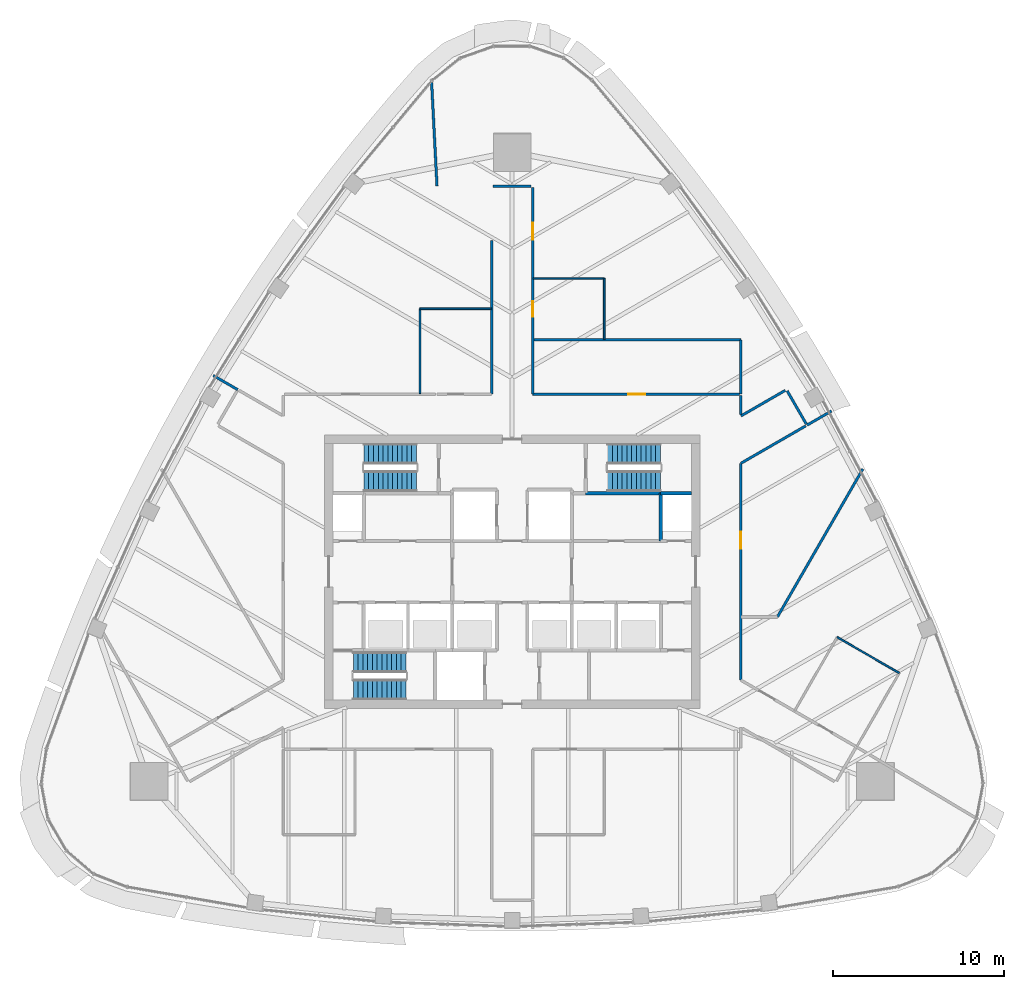
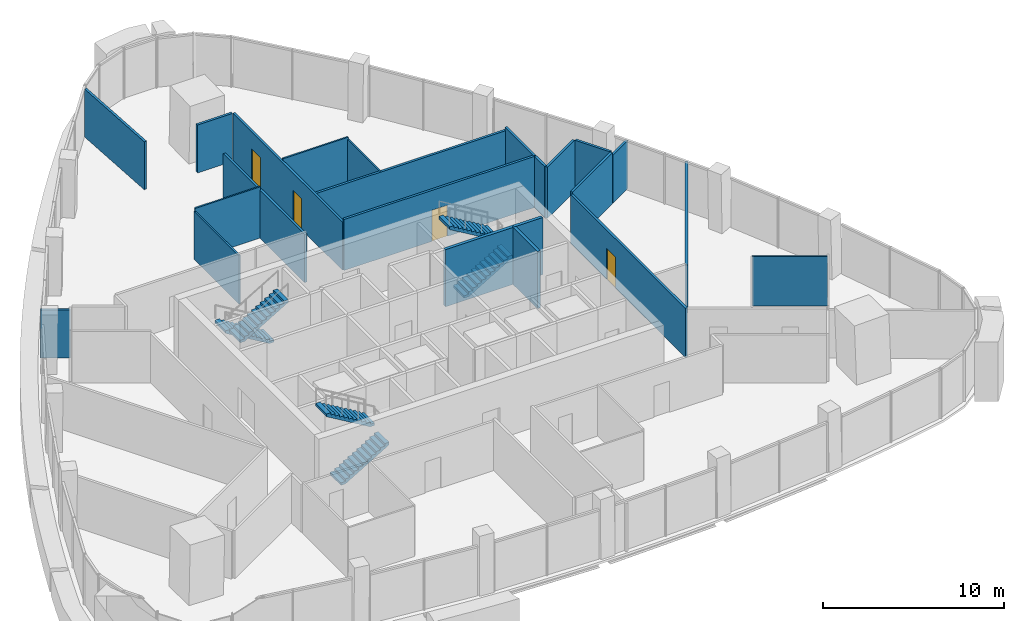
# One storey, part 11 of 15: 23 walls, 6 stair flights, 4 doors, 4 openings, 3 elements without a shape of their own.
"""IFC4 building model written with IfcOpenShell, lengths in metres."""

from ifc_helpers import new_model, si_unit, direction, frame, frame_2d, origin, place, context, subcontext, project, spatial, polyline, rectangle, outline, extrude, material, layer, layer_set, type_object, element, fill, aggregate, save


model = new_model("IFC4")

# Units and contexts
model_context = context("Model", 3, precision=1e-05, world=origin(), true_north=direction((0.0, 1.0)))
body_context = subcontext(model_context, "Body", "Model", "MODEL_VIEW")
ifc_project = project(units=[si_unit("LENGTHUNIT", "METRE"), si_unit("AREAUNIT", "SQUARE_METRE"), si_unit("VOLUMEUNIT", "CUBIC_METRE"), si_unit("PLANEANGLEUNIT", "RADIAN"), si_unit("MASSUNIT", "GRAM", prefix="KILO")], contexts=[model_context])

# Site, building, storey
site_placement = place(None, origin())
site = spatial("IfcSite", under=ifc_project, at=site_placement, CompositionType="ELEMENT")
building_placement = place(site_placement, origin())
building = spatial("IfcBuilding", under=site, at=building_placement, Name="Sierra Prisma Convention Tower", CompositionType="ELEMENT")
storey_placement = place(building_placement, frame((0.0, 0.0, 267.0)))
storey = spatial("IfcBuildingStorey", under=building, at=storey_placement, Name="L60", CompositionType="ELEMENT", Elevation=267.0)

# Walls
ifc_material_1 = material(Name="Gypsum board partition", Category="gypsum")
ifc_layer_1 = layer(ifc_material_1, 0.10009765625)
ifc_layer_set_1 = layer_set([ifc_layer_1], Name="Bathroom partition 100")
wall_type_1 = type_object("IfcWallType", Name="Bathroom partition 100", PredefinedType="PARTITIONING", material=ifc_layer_set_1)
wall_1_placement = place(storey_placement, frame((-5.39990234375, 10.429931640625, 0.0), z_axis=(0.0, 0.0, 1.0), x_axis=(0.0, 1.0, 0.0)))
element("IfcWall", 1, at=wall_1_placement, inside=storey, type_object=wall_type_1, Name="Partition L60 bath 4", PredefinedType="PARTITIONING", context=body_context, shape_type="SweptSolid", body=[
    extrude(rectangle(XDim=4.969970703125, YDim=0.10009765625, at=frame_2d((2.48486328125, 0.0))), origin(), (0.0, 0.0, 1.0), 3.2470703125),
])
wall_2_placement = place(storey_placement, frame((-5.39990234375, 15.39990234375, 0.0), z_axis=(0.0, 0.0, 1.0), x_axis=(1.0, 0.0, 0.0)))
element("IfcWall", 2, at=wall_2_placement, inside=storey, type_object=wall_type_1, Name="Partition L60 bath 5", PredefinedType="PARTITIONING", context=body_context, shape_type="SweptSolid", body=[
    extrude(rectangle(XDim=4.169921875, YDim=0.10009765625, at=frame_2d((2.0849609375, 0.0))), origin(), (0.0, 0.0, 1.0), 3.449951171875),
])
wall_3_placement = place(storey_placement, frame((1.22998046875, 17.1826171875, 0.0), z_axis=(0.0, 0.0, 1.0), x_axis=(1.0, 0.0, 0.0)))
element("IfcWall", 3, at=wall_3_placement, inside=storey, type_object=wall_type_1, Name="Partition L60 bath 8", PredefinedType="PARTITIONING", context=body_context, shape_type="SweptSolid", body=[
    extrude(rectangle(XDim=4.169921875, YDim=0.10009765625, at=frame_2d((2.0849609375, 0.0))), origin(), (0.0, 0.0, 1.0), 3.39306640625),
])
wall_4_placement = place(storey_placement, frame((5.39990234375, 17.1826171875, 0.0), z_axis=(0.0, 0.0, 1.0), x_axis=(0.0, -1.0, 0.0)))
element("IfcWall", 4, at=wall_4_placement, inside=storey, type_object=wall_type_1, Name="Partition L60 bath 9", PredefinedType="PARTITIONING", context=body_context, shape_type="SweptSolid", body=[
    extrude(rectangle(XDim=3.570068359375, YDim=0.10009765625, at=frame_2d((1.78515625, 0.0))), origin(), (0.0, 0.0, 1.0), 3.2470703125),
])
wall_5_placement = place(storey_placement, frame((19.037109375, -3.831787109375, 0.0), z_axis=(0.0, 0.0, 1.0), x_axis=(0.866009402589, -0.500027713859, 0.0)))
element("IfcWall", 5, at=wall_5_placement, inside=storey, type_object=wall_type_1, Name="Partition L60 bath 11", PredefinedType="PARTITIONING", context=body_context, shape_type="SweptSolid", body=[
    extrude(rectangle(XDim=4.199951171875, YDim=0.10009765625, at=frame_2d((2.10009765625, 0.0))), origin(), (0.0, 0.0, 1.0), 3.31689453125),
])
ifc_material_2 = material(Name="Concrete C30/37", Category="concrete")
ifc_layer_2 = layer(ifc_material_2, 0.199951171875)
ifc_layer_set_2 = layer_set([ifc_layer_2], Name="Core wall RC 200 C30/37")
wall_type_2 = type_object("IfcWallType", Name="Core wall RC 200 C30/37", PredefinedType="SOLIDWALL", material=ifc_layer_set_2)
wall_6_placement = place(storey_placement, frame((8.699951171875, 4.60009765625, 0.0), z_axis=(0.0, 0.0, 1.0), x_axis=(-1.0, 0.0, 0.0)))
element("IfcWall", 6, at=wall_6_placement, inside=storey, type_object=wall_type_2, Name="Core wall L60 48", PredefinedType="SOLIDWALL", context=body_context, shape_type="SweptSolid", body=[
    extrude(rectangle(XDim=4.39990234375, YDim=0.199951171875, at=frame_2d((2.199951171875, 0.0))), origin(), (0.0, 0.0, 1.0), 3.85009765625),
])
wall_7_placement = place(storey_placement, frame((8.699951171875, 1.800048828125, 0.0), z_axis=(0.0, 0.0, 1.0), x_axis=(0.0, 1.0, 0.0)))
element("IfcWall", 7, at=wall_7_placement, inside=storey, type_object=wall_type_2, Name="Core wall L60 59", PredefinedType="SOLIDWALL", context=body_context, shape_type="SweptSolid", body=[
    extrude(rectangle(XDim=2.800048828125, YDim=0.199951171875, at=frame_2d((1.39990234375, 0.0))), origin(), (0.0, 0.0, 1.0), 3.85009765625),
])
wall_8_placement = place(storey_placement, frame((10.5, 4.60009765625, 0.0), z_axis=(0.0, 0.0, 1.0), x_axis=(-1.0, 0.0, 0.0)))
element("IfcWall", 8, at=wall_8_placement, inside=storey, type_object=wall_type_2, Name="Core wall L60 60", PredefinedType="SOLIDWALL", context=body_context, shape_type="SweptSolid", body=[
    extrude(rectangle(XDim=1.800048828125, YDim=0.199951171875, at=frame_2d((0.89990234375, 0.0))), origin(), (0.0, 0.0, 1.0), 3.85009765625),
])
ifc_material_3 = material(Name="Gypsum board partition", Category="gypsum")
ifc_layer_3 = layer(ifc_material_3, 0.14990234375)
ifc_layer_set_3 = layer_set([ifc_layer_3], Name="Corridor wall 150 gypsum EI 60")
wall_type_3 = type_object("IfcWallType", Name="Corridor wall 150 gypsum EI 60", PredefinedType="PARTITIONING", material=ifc_layer_set_3)
wall_9_placement = place(storey_placement, frame((-1.199951171875, 19.39990234375, 0.0), z_axis=(0.0, 0.0, 1.0), x_axis=(0.0, -1.0, 0.0)))
element("IfcWall", 9, at=wall_9_placement, inside=storey, type_object=wall_type_3, Name="Partition L60 corr 13", PredefinedType="PARTITIONING", context=body_context, shape_type="SweptSolid", body=[
    extrude(rectangle(XDim=9.0, YDim=0.14990234375, at=frame_2d((4.5, 0.0))), origin(), (0.0, 0.0, 1.0), 3.2470703125),
])
wall_10_placement = place(storey_placement, frame((1.1201171875, 22.58251953125, 0.0), z_axis=(0.0, 0.0, 1.0), x_axis=(-1.0, 0.0, 0.0)))
element("IfcWall", 10, at=wall_10_placement, inside=storey, type_object=wall_type_3, Name="Partition L60 corr 16", PredefinedType="PARTITIONING", context=body_context, shape_type="SweptSolid", body=[
    extrude(rectangle(XDim=2.240234375, YDim=0.14990234375, at=frame_2d((1.1201171875, 0.0))), origin(), (0.0, 0.0, 1.0), 3.23291015625),
])

# Wall, opening, door
wall_11_placement = place(storey_placement, frame((13.320068359375, 10.39990234375, 0.0), z_axis=(0.0, 0.0, 1.0), x_axis=(-1.0, 0.0, 0.0)))
wall_11 = element("IfcWall", 11, at=wall_11_placement, inside=storey, type_object=wall_type_3, Name="Partition L60 corr 19", PredefinedType="PARTITIONING", context=body_context, shape_type="SweptSolid", body=[
    extrude(rectangle(XDim=12.1201171875, YDim=0.14990234375, at=frame_2d((6.06005859375, 0.0))), origin(), (0.0, 0.0, 1.0), 3.443115234375),
])
opening_1_placement = place(wall_11_placement, frame((5.52001953125, 0.0, 0.0)))
opening_1 = element("IfcOpeningElement", 12, at=opening_1_placement, cuts=wall_11, Name="Opening L60-D026", PredefinedType="OPENING", context=body_context, shape_type="SweptSolid", body=[
    extrude(rectangle(XDim=1.0, YDim=2.10009765625, at=frame_2d((0.5, 1.050048828125))), frame((0.0, 0.074951171875, 0.0), z_axis=(0.0, -1.0, 0.0), x_axis=(1.0, 0.0, 0.0)), (0.0, 0.0, 1.0), 0.14990234375),
])
ifc_material_4 = material(Name="Steel fire door leaf", Category="steel")
door_type_1 = type_object("IfcDoorType", Name="Door 1000x2100 FD30S", OperationType="SINGLE_SWING_LEFT", PredefinedType="DOOR", material=ifc_material_4)
door_1_placement = place(opening_1_placement, origin())
door_1 = element("IfcDoor", 13, at=door_1_placement, inside=storey, type_object=door_type_1, Name="Door L60 2", OperationType="SINGLE_SWING_RIGHT", OverallHeight=2.10009765625, OverallWidth=1.0, PredefinedType="DOOR", context=body_context, shape_type="SweptSolid", body=[
    extrude(rectangle(XDim=1.0, YDim=2.10009765625, at=frame_2d((0.5, 1.050048828125))), frame((0.0, 0.02490234375, 0.0), z_axis=(0.0, -1.0, 0.0), x_axis=(1.0, 0.0, 0.0)), (0.0, 0.0, 1.0), 0.050048828125),
])
fill(opening_1, door_1)

# Wall, openings, doors
wall_12_placement = place(storey_placement, frame((1.199951171875, 10.39990234375, 0.0), z_axis=(0.0, 0.0, 1.0), x_axis=(0.0, 1.0, 0.0)))
wall_12 = element("IfcWall", 14, at=wall_12_placement, inside=storey, type_object=wall_type_3, Name="Partition L60 corr 20", PredefinedType="PARTITIONING", context=body_context, shape_type="SweptSolid", body=[
    extrude(rectangle(XDim=12.102783203125, YDim=0.14990234375, at=frame_2d((6.05126953125, 0.0))), origin(), (0.0, 0.0, 1.0), 3.2470703125),
])
opening_2_placement = place(wall_12_placement, frame((4.53271484375, 0.0, 0.0)))
opening_2 = element("IfcOpeningElement", 15, at=opening_2_placement, cuts=wall_12, Name="Opening L60-D027", PredefinedType="OPENING", context=body_context, shape_type="SweptSolid", body=[
    extrude(rectangle(XDim=0.89990234375, YDim=2.10009765625, at=frame_2d((0.449951171875, 1.050048828125))), frame((0.0, 0.074951171875, 0.0), z_axis=(0.0, -1.0, 0.0), x_axis=(1.0, 0.0, 0.0)), (0.0, 0.0, 1.0), 0.14990234375),
])
opening_3_placement = place(wall_12_placement, frame((9.03271484375, 0.0, 0.0)))
opening_3 = element("IfcOpeningElement", 16, at=opening_3_placement, cuts=wall_12, Name="Opening L60-D028", PredefinedType="OPENING", context=body_context, shape_type="SweptSolid", body=[
    extrude(rectangle(XDim=1.0, YDim=2.10009765625, at=frame_2d((0.5, 1.050048828125))), frame((0.0, 0.074951171875, 0.0), z_axis=(0.0, -1.0, 0.0), x_axis=(1.0, 0.0, 0.0)), (0.0, 0.0, 1.0), 0.14990234375),
])
door_2_placement = place(opening_3_placement, origin())
door_2 = element("IfcDoor", 17, at=door_2_placement, inside=storey, type_object=door_type_1, Name="Door L60 4", OperationType="SINGLE_SWING_RIGHT", OverallHeight=2.10009765625, OverallWidth=1.0, PredefinedType="DOOR", context=body_context, shape_type="SweptSolid", body=[
    extrude(rectangle(XDim=1.0, YDim=2.10009765625, at=frame_2d((0.5, 1.050048828125))), frame((0.0, 0.02490234375, 0.0), z_axis=(0.0, -1.0, 0.0), x_axis=(1.0, 0.0, 0.0)), (0.0, 0.0, 1.0), 0.050048828125),
])
fill(opening_3, door_2)
ifc_material_5 = material(Name="Steel fire door leaf", Category="steel")
door_type_2 = type_object("IfcDoorType", Name="Door 900x2100 FD30S", OperationType="SINGLE_SWING_LEFT", PredefinedType="DOOR", material=ifc_material_5)
door_3_placement = place(opening_2_placement, origin())
door_3 = element("IfcDoor", 18, at=door_3_placement, inside=storey, type_object=door_type_2, Name="Door L60 3", OperationType="SINGLE_SWING_RIGHT", OverallHeight=2.10009765625, OverallWidth=0.89990234375, PredefinedType="DOOR", context=body_context, shape_type="SweptSolid", body=[
    extrude(rectangle(XDim=0.89990234375, YDim=2.10009765625, at=frame_2d((0.449951171875, 1.050048828125))), frame((0.0, 0.02490234375, 0.0), z_axis=(0.0, -1.0, 0.0), x_axis=(1.0, 0.0, 0.0)), (0.0, 0.0, 1.0), 0.050048828125),
])
fill(opening_2, door_3)

# Walls
wall_13_placement = place(storey_placement, frame((15.9990234375, 10.622802734375, 0.0), z_axis=(0.0, 0.0, 1.0), x_axis=(-0.86600676862, -0.500032275663, 0.0)))
element("IfcWall", 19, at=wall_13_placement, inside=storey, type_object=wall_type_3, Name="Partition L60 corr 23", PredefinedType="PARTITIONING", context=body_context, shape_type="SweptSolid", body=[
    extrude(rectangle(XDim=3.001220703125, YDim=0.14990234375, at=frame_2d((1.50048828125, 0.0))), origin(), (0.0, 0.0, 1.0), 3.449951171875),
])
wall_14_placement = place(storey_placement, frame((13.39990234375, 9.213623046875, 0.0), z_axis=(0.0, 0.0, 1.0), x_axis=(0.0, 1.0, 0.0)))
element("IfcWall", 20, at=wall_14_placement, inside=storey, type_object=wall_type_3, Name="Partition L60 corr 24", PredefinedType="PARTITIONING", context=body_context, shape_type="SweptSolid", body=[
    extrude(rectangle(XDim=1.1064453125, YDim=0.14990234375, at=frame_2d((0.55322265625, 0.0))), origin(), (0.0, 0.0, 1.0), 3.449951171875),
])
wall_15_placement = place(storey_placement, frame((17.228515625, 8.653564453125, 0.0), z_axis=(0.0, 0.0, 1.0), x_axis=(-0.500030632641, 0.866007717299, 0.0)))
element("IfcWall", 21, at=wall_15_placement, inside=storey, type_object=wall_type_3, Name="Partition L60 corr 25", PredefinedType="PARTITIONING", context=body_context, shape_type="SweptSolid", body=[
    extrude(rectangle(XDim=2.239990234375, YDim=0.14990234375, at=frame_2d((1.1201171875, 0.0))), origin(), (0.0, 0.0, 1.0), 3.449951171875),
])

# Wall, opening, door
wall_16_placement = place(storey_placement, frame((13.39990234375, -6.350830078125, 0.0), z_axis=(0.0, 0.0, 1.0), x_axis=(0.0, 1.0, 0.0)))
wall_16 = element("IfcWall", 22, at=wall_16_placement, inside=storey, type_object=wall_type_3, Name="Partition L60 corr 27", PredefinedType="PARTITIONING", context=body_context, shape_type="SweptSolid", body=[
    extrude(rectangle(XDim=12.70166015625, YDim=0.14990234375, at=frame_2d((6.350830078125, 0.0))), origin(), (0.0, 0.0, 1.0), 3.31689453125),
])
opening_4_placement = place(wall_16_placement, frame((7.701904296875, 0.0, 0.0)))
opening_4 = element("IfcOpeningElement", 23, at=opening_4_placement, cuts=wall_16, Name="Opening L60-D025", PredefinedType="OPENING", context=body_context, shape_type="SweptSolid", body=[
    extrude(rectangle(XDim=1.0, YDim=2.10009765625, at=frame_2d((0.5, 1.050048828125))), frame((0.0, 0.074951171875, 0.0), z_axis=(0.0, -1.0, 0.0), x_axis=(1.0, 0.0, 0.0)), (0.0, 0.0, 1.0), 0.14990234375),
])
door_4_placement = place(opening_4_placement, origin())
door_4 = element("IfcDoor", 24, at=door_4_placement, inside=storey, type_object=door_type_1, Name="Door L60 1", OperationType="SINGLE_SWING_RIGHT", OverallHeight=2.10009765625, OverallWidth=1.0, PredefinedType="DOOR", context=body_context, shape_type="SweptSolid", body=[
    extrude(rectangle(XDim=1.0, YDim=2.10009765625, at=frame_2d((0.5, 1.050048828125))), frame((0.0, 0.02490234375, 0.0), z_axis=(0.0, -1.0, 0.0), x_axis=(1.0, 0.0, 0.0)), (0.0, 0.0, 1.0), 0.050048828125),
])
fill(opening_4, door_4)

# Walls
wall_17_placement = place(storey_placement, frame((13.39990234375, 6.350830078125, 0.0), z_axis=(0.0, 0.0, 1.0), x_axis=(0.866042871377, 0.499969744021, 0.0)))
element("IfcWall", 25, at=wall_17_placement, inside=storey, type_object=wall_type_3, Name="Partition L60 corr 28", PredefinedType="PARTITIONING", context=body_context, shape_type="SweptSolid", body=[
    extrude(rectangle(XDim=4.386962890625, YDim=0.14990234375, at=frame_2d((2.193359375, 0.0))), origin(), (0.0, 0.0, 1.0), 3.449951171875),
])
ifc_material_6 = material(Name="Gypsum board partition", Category="gypsum")
ifc_layer_4 = layer(ifc_material_6, 0.14990234375)
ifc_layer_set_4 = layer_set([ifc_layer_4], Name="Party wall 150 gypsum")
wall_type_4 = type_object("IfcWallType", Name="Party wall 150 gypsum", PredefinedType="PARTITIONING", material=ifc_layer_set_4)
wall_18_placement = place(storey_placement, frame((-16.068359375, 10.66259765625, 0.0), z_axis=(0.0, 0.0, 1.0), x_axis=(-0.866021116422, 0.500007425856, 0.0)))
element("IfcWall", 26, at=wall_18_placement, inside=storey, type_object=wall_type_4, Name="Partition L60 party 3", PredefinedType="PARTITIONING", context=body_context, shape_type="SweptSolid", body=[
    extrude(rectangle(XDim=1.65625, YDim=0.14990234375, at=frame_2d((0.828125, 0.0))), origin(), (0.0, 0.0, 1.0), 3.23388671875),
])
wall_19_placement = place(storey_placement, frame((-4.39990234375, 22.58251953125, 0.0), z_axis=(0.0, 0.0, 1.0), x_axis=(-0.051805743166, 0.998657180906, 0.0)))
element("IfcWall", 27, at=wall_19_placement, inside=storey, type_object=wall_type_4, Name="Partition L60 party 4", PredefinedType="PARTITIONING", context=body_context, shape_type="SweptSolid", body=[
    extrude(rectangle(XDim=6.074462890625, YDim=0.14990234375, at=frame_2d((3.037109375, 0.0))), origin(), (0.0, 0.0, 1.0), 3.23388671875),
])
wall_20_placement = place(storey_placement, frame((1.199951171875, 13.58251953125, 0.0), z_axis=(0.0, 0.0, 1.0), x_axis=(1.0, 0.0, 0.0)))
element("IfcWall", 28, at=wall_20_placement, inside=storey, type_object=wall_type_4, Name="Partition L60 party 6", PredefinedType="PARTITIONING", context=body_context, shape_type="SweptSolid", body=[
    extrude(rectangle(XDim=12.199951171875, YDim=0.14990234375, at=frame_2d((6.10009765625, 0.0))), origin(), (0.0, 0.0, 1.0), 3.2470703125),
])
wall_21_placement = place(storey_placement, frame((13.39990234375, 13.58251953125, 0.0), z_axis=(0.0, 0.0, 1.0), x_axis=(0.0, -1.0, 0.0)))
element("IfcWall", 29, at=wall_21_placement, inside=storey, type_object=wall_type_4, Name="Partition L60 party 7", PredefinedType="PARTITIONING", context=body_context, shape_type="SweptSolid", body=[
    extrude(rectangle(XDim=3.1826171875, YDim=0.14990234375, at=frame_2d((1.59130859375, 0.0))), origin(), (0.0, 0.0, 1.0), 3.443115234375),
])
wall_22_placement = place(storey_placement, frame((20.539306640625, 6.014404296875, 0.0), z_axis=(0.0, 0.0, 1.0), x_axis=(-0.500021018371, -0.866013268482, 0.0)))
element("IfcWall", 30, at=wall_22_placement, inside=storey, type_object=wall_type_4, Name="Partition L60 party 8", PredefinedType="PARTITIONING", context=body_context, shape_type="SweptSolid", body=[
    extrude(rectangle(XDim=10.00390625, YDim=0.14990234375, at=frame_2d((5.001953125, 0.0))), origin(), (0.0, 0.0, 1.0), 3.23388671875),
])
wall_23_placement = place(storey_placement, frame((17.268310546875, 8.584228515625, 0.0), z_axis=(0.0, 0.0, 1.0), x_axis=(0.866021116422, 0.500007425856, 0.0)))
element("IfcWall", 31, at=wall_23_placement, inside=storey, type_object=wall_type_4, Name="Partition L60 party 10", PredefinedType="PARTITIONING", context=body_context, shape_type="SweptSolid", body=[
    extrude(rectangle(XDim=1.65625, YDim=0.14990234375, at=frame_2d((0.828125, 0.0))), origin(), (0.0, 0.0, 1.0), 3.23388671875),
])

# Stair, stair flights
ifc_material_7 = material(Name="Concrete C30/37", Category="concrete")
stair_type = type_object("IfcStairType", Name="Stair dog-leg 1200 RC", PredefinedType="HALF_TURN_STAIR", material=ifc_material_7)
stair_1_placement = place(storey_placement, origin())
stair_1 = element("IfcStair", 32, at=stair_1_placement, inside=storey, type_object=stair_type, Name="L60 S1", PredefinedType="HALF_TURN_STAIR")
ifc_material_8 = material(Name="Concrete C30/37", Category="concrete")
stair_flight_type = type_object("IfcStairFlightType", Name="Stair flight RC 1200", PredefinedType="STRAIGHT", material=ifc_material_8)
stair_flight_1_placement = place(storey_placement, frame((-9.300048828125, -6.89990234375, 0.0), z_axis=(0.0, 0.0, 1.0), x_axis=(1.0, 0.0, 0.0)))
stair_flight_1 = element("IfcStairFlight", 33, at=stair_flight_1_placement, type_object=stair_flight_type, Name="S1 flight 1", NumberOfRisers=12, NumberOfTreads=11, PredefinedType="STRAIGHT", RiserHeight=0.166666667, TreadLength=0.28, context=body_context, shape_type="SweptSolid", body=[
    extrude(outline(polyline([(0.0, 0.0), (0.0, 0.166748046875), (0.280029296875, 0.166748046875), (0.280029296875, 0.333251953125), (0.56005859375, 0.333251953125), (0.56005859375, 0.5), (0.840087890625, 0.5), (0.840087890625, 0.666748046875), (1.1201171875, 0.666748046875), (1.1201171875, 0.833251953125), (1.39990234375, 0.833251953125), (1.39990234375, 1.0), (1.679931640625, 1.0), (1.679931640625, 1.166748046875), (1.9599609375, 1.166748046875), (1.9599609375, 1.333251953125), (2.239990234375, 1.333251953125), (2.239990234375, 1.5), (2.52001953125, 1.5), (2.52001953125, 1.666748046875), (2.800048828125, 1.666748046875), (2.800048828125, 1.833251953125), (3.080078125, 1.833251953125), (3.080078125, 2.0), (3.080078125, 1.658935546875), (0.29296875, 0.0), (0.0, 0.0)])), frame((0.0, 0.60009765625, 0.0), z_axis=(0.0, -1.0, 0.0), x_axis=(1.0, 0.0, 0.0)), (0.0, 0.0, 1.0), 1.199951171875),
])
stair_flight_2_placement = place(storey_placement, frame((-6.219970703125, -5.300048828125, 2.0), z_axis=(0.0, 0.0, 1.0), x_axis=(-1.0, 0.0, 0.0)))
stair_flight_2 = element("IfcStairFlight", 34, at=stair_flight_2_placement, type_object=stair_flight_type, Name="S1 flight 2", NumberOfRisers=12, NumberOfTreads=11, PredefinedType="STRAIGHT", RiserHeight=0.166666667, TreadLength=0.28, context=body_context, shape_type="SweptSolid", body=[
    extrude(outline(polyline([(0.0, 0.0), (0.0, 0.166748046875), (0.280029296875, 0.166748046875), (0.280029296875, 0.333251953125), (0.56005859375, 0.333251953125), (0.56005859375, 0.5), (0.840087890625, 0.5), (0.840087890625, 0.666748046875), (1.1201171875, 0.666748046875), (1.1201171875, 0.833251953125), (1.39990234375, 0.833251953125), (1.39990234375, 1.0), (1.679931640625, 1.0), (1.679931640625, 1.166748046875), (1.9599609375, 1.166748046875), (1.9599609375, 1.333251953125), (2.239990234375, 1.333251953125), (2.239990234375, 1.5), (2.52001953125, 1.5), (2.52001953125, 1.666748046875), (2.800048828125, 1.666748046875), (2.800048828125, 1.833251953125), (3.080078125, 1.833251953125), (3.080078125, 2.0), (3.080078125, 1.658935546875), (0.29296875, 0.0), (0.0, 0.0)])), frame((0.0, 0.60009765625, 0.0), z_axis=(0.0, -1.0, 0.0), x_axis=(1.0, 0.0, 0.0)), (0.0, 0.0, 1.0), 1.199951171875),
])
aggregate(stair_1, [stair_flight_1, stair_flight_2])

stair_2_placement = place(storey_placement, origin())
stair_2 = element("IfcStair", 35, at=stair_2_placement, inside=storey, type_object=stair_type, Name="L60 S3", PredefinedType="HALF_TURN_STAIR")
stair_flight_3_placement = place(storey_placement, frame((-5.60009765625, 6.89990234375, 0.0), z_axis=(0.0, 0.0, 1.0), x_axis=(-1.0, 0.0, 0.0)))
stair_flight_3 = element("IfcStairFlight", 36, at=stair_flight_3_placement, type_object=stair_flight_type, Name="S3 flight 1", NumberOfRisers=12, NumberOfTreads=11, PredefinedType="STRAIGHT", RiserHeight=0.166666667, TreadLength=0.28, context=body_context, shape_type="SweptSolid", body=[
    extrude(outline(polyline([(0.0, 0.0), (0.0, 0.166748046875), (0.280029296875, 0.166748046875), (0.280029296875, 0.333251953125), (0.56005859375, 0.333251953125), (0.56005859375, 0.5), (0.840087890625, 0.5), (0.840087890625, 0.666748046875), (1.1201171875, 0.666748046875), (1.1201171875, 0.833251953125), (1.39990234375, 0.833251953125), (1.39990234375, 1.0), (1.679931640625, 1.0), (1.679931640625, 1.166748046875), (1.9599609375, 1.166748046875), (1.9599609375, 1.333251953125), (2.239990234375, 1.333251953125), (2.239990234375, 1.5), (2.52001953125, 1.5), (2.52001953125, 1.666748046875), (2.800048828125, 1.666748046875), (2.800048828125, 1.833251953125), (3.080078125, 1.833251953125), (3.080078125, 2.0), (3.080078125, 1.658935546875), (0.29296875, 0.0), (0.0, 0.0)])), frame((0.0, 0.60009765625, 0.0), z_axis=(0.0, -1.0, 0.0), x_axis=(1.0, 0.0, 0.0)), (0.0, 0.0, 1.0), 1.199951171875),
])
stair_flight_4_placement = place(storey_placement, frame((-8.679931640625, 5.300048828125, 2.0), z_axis=(0.0, 0.0, 1.0), x_axis=(1.0, 0.0, 0.0)))
stair_flight_4 = element("IfcStairFlight", 37, at=stair_flight_4_placement, type_object=stair_flight_type, Name="S3 flight 2", NumberOfRisers=12, NumberOfTreads=11, PredefinedType="STRAIGHT", RiserHeight=0.166666667, TreadLength=0.28, context=body_context, shape_type="SweptSolid", body=[
    extrude(outline(polyline([(0.0, 0.0), (0.0, 0.166748046875), (0.280029296875, 0.166748046875), (0.280029296875, 0.333251953125), (0.56005859375, 0.333251953125), (0.56005859375, 0.5), (0.840087890625, 0.5), (0.840087890625, 0.666748046875), (1.1201171875, 0.666748046875), (1.1201171875, 0.833251953125), (1.39990234375, 0.833251953125), (1.39990234375, 1.0), (1.679931640625, 1.0), (1.679931640625, 1.166748046875), (1.9599609375, 1.166748046875), (1.9599609375, 1.333251953125), (2.239990234375, 1.333251953125), (2.239990234375, 1.5), (2.52001953125, 1.5), (2.52001953125, 1.666748046875), (2.800048828125, 1.666748046875), (2.800048828125, 1.833251953125), (3.080078125, 1.833251953125), (3.080078125, 2.0), (3.080078125, 1.658935546875), (0.29296875, 0.0), (0.0, 0.0)])), frame((0.0, 0.60009765625, 0.0), z_axis=(0.0, -1.0, 0.0), x_axis=(1.0, 0.0, 0.0)), (0.0, 0.0, 1.0), 1.199951171875),
])
aggregate(stair_2, [stair_flight_3, stair_flight_4])

stair_3_placement = place(storey_placement, origin())
stair_3 = element("IfcStair", 38, at=stair_3_placement, inside=storey, type_object=stair_type, Name="L60 S4", PredefinedType="HALF_TURN_STAIR")
stair_flight_5_placement = place(storey_placement, frame((5.60009765625, 5.300048828125, 0.0), z_axis=(0.0, 0.0, 1.0), x_axis=(1.0, 0.0, 0.0)))
stair_flight_5 = element("IfcStairFlight", 39, at=stair_flight_5_placement, type_object=stair_flight_type, Name="S4 flight 1", NumberOfRisers=12, NumberOfTreads=11, PredefinedType="STRAIGHT", RiserHeight=0.166666667, TreadLength=0.28, context=body_context, shape_type="SweptSolid", body=[
    extrude(outline(polyline([(0.0, 0.0), (0.0, 0.166748046875), (0.280029296875, 0.166748046875), (0.280029296875, 0.333251953125), (0.56005859375, 0.333251953125), (0.56005859375, 0.5), (0.840087890625, 0.5), (0.840087890625, 0.666748046875), (1.1201171875, 0.666748046875), (1.1201171875, 0.833251953125), (1.39990234375, 0.833251953125), (1.39990234375, 1.0), (1.679931640625, 1.0), (1.679931640625, 1.166748046875), (1.9599609375, 1.166748046875), (1.9599609375, 1.333251953125), (2.239990234375, 1.333251953125), (2.239990234375, 1.5), (2.52001953125, 1.5), (2.52001953125, 1.666748046875), (2.800048828125, 1.666748046875), (2.800048828125, 1.833251953125), (3.080078125, 1.833251953125), (3.080078125, 2.0), (3.080078125, 1.658935546875), (0.29296875, 0.0), (0.0, 0.0)])), frame((0.0, 0.60009765625, 0.0), z_axis=(0.0, -1.0, 0.0), x_axis=(1.0, 0.0, 0.0)), (0.0, 0.0, 1.0), 1.199951171875),
])
stair_flight_6_placement = place(storey_placement, frame((8.679931640625, 6.89990234375, 2.0), z_axis=(0.0, 0.0, 1.0), x_axis=(-1.0, 0.0, 0.0)))
stair_flight_6 = element("IfcStairFlight", 40, at=stair_flight_6_placement, type_object=stair_flight_type, Name="S4 flight 2", NumberOfRisers=12, NumberOfTreads=11, PredefinedType="STRAIGHT", RiserHeight=0.166666667, TreadLength=0.28, context=body_context, shape_type="SweptSolid", body=[
    extrude(outline(polyline([(0.0, 0.0), (0.0, 0.166748046875), (0.280029296875, 0.166748046875), (0.280029296875, 0.333251953125), (0.56005859375, 0.333251953125), (0.56005859375, 0.5), (0.840087890625, 0.5), (0.840087890625, 0.666748046875), (1.1201171875, 0.666748046875), (1.1201171875, 0.833251953125), (1.39990234375, 0.833251953125), (1.39990234375, 1.0), (1.679931640625, 1.0), (1.679931640625, 1.166748046875), (1.9599609375, 1.166748046875), (1.9599609375, 1.333251953125), (2.239990234375, 1.333251953125), (2.239990234375, 1.5), (2.52001953125, 1.5), (2.52001953125, 1.666748046875), (2.800048828125, 1.666748046875), (2.800048828125, 1.833251953125), (3.080078125, 1.833251953125), (3.080078125, 2.0), (3.080078125, 1.658935546875), (0.29296875, 0.0), (0.0, 0.0)])), frame((0.0, 0.60009765625, 0.0), z_axis=(0.0, -1.0, 0.0), x_axis=(1.0, 0.0, 0.0)), (0.0, 0.0, 1.0), 1.199951171875),
])
aggregate(stair_3, [stair_flight_5, stair_flight_6])

save(model, "model.ifc")
